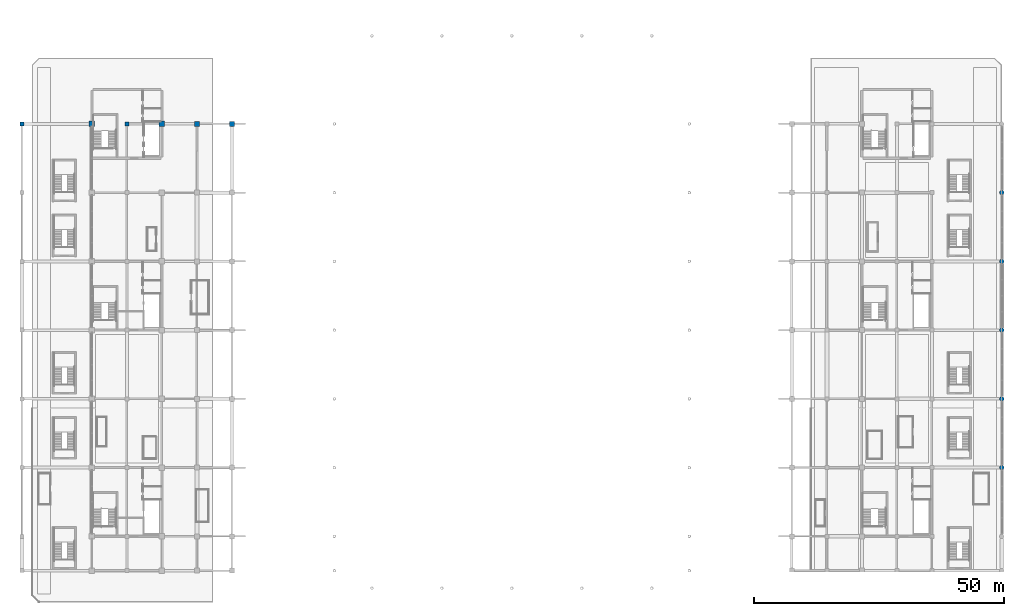
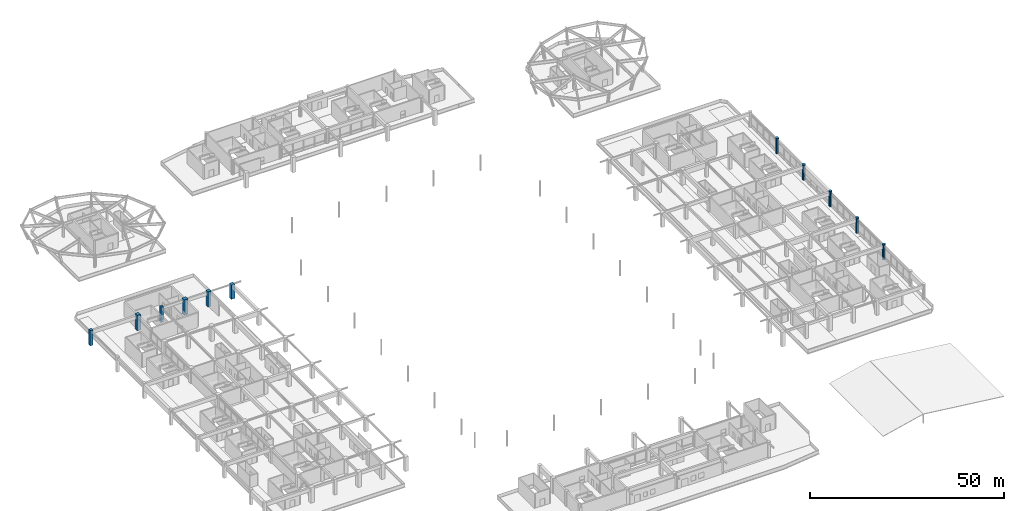
# One storey, part 12 of 91: 11 columns.
"""IFC4 building model written with IfcOpenShell, lengths in metres."""

from ifc_helpers import new_model, si_unit, direction, frame, origin, origin_2d, place, context, subcontext, project, spatial, rectangle, circle, extrude, material, material_profile, profile_set, type_object, element, save


model = new_model("IFC4")

# Units and contexts
model_context = context("Model", 3, precision=1e-05, world=origin(), true_north=direction((0.0, 1.0)))
body_context = subcontext(model_context, "Body", "Model", "MODEL_VIEW")
ifc_project = project(units=[si_unit("LENGTHUNIT", "METRE"), si_unit("AREAUNIT", "SQUARE_METRE"), si_unit("VOLUMEUNIT", "CUBIC_METRE"), si_unit("PLANEANGLEUNIT", "RADIAN"), si_unit("MASSUNIT", "GRAM", prefix="KILO")], contexts=[model_context])

# Site, building, storey
site_placement = place(None, origin())
site = spatial("IfcSite", under=ifc_project, at=site_placement, CompositionType="ELEMENT")
building_placement = place(site_placement, origin())
building = spatial("IfcBuilding", under=site, at=building_placement, Name="Linyun Crest Stadium", CompositionType="ELEMENT")
storey_placement = place(building_placement, frame((0.0, 0.0, 11.39990234375)))
storey = spatial("IfcBuildingStorey", under=building, at=storey_placement, Name="L03", CompositionType="ELEMENT", Elevation=11.39990234375)

# Columns
ifc_material_1 = material(Name="Concrete C50", Category="concrete")
ifc_material_profile_1 = material_profile(ifc_material_1, rectangle(XDim=0.800048828125, YDim=0.800048828125, at=origin_2d()), Name="RC 800x800")
ifc_profile_set_1 = profile_set([ifc_material_profile_1], Name="Concrete C50")
column_type_1 = type_object("IfcColumnType", Name="C03", PredefinedType="COLUMN", material=ifc_profile_set_1)
for number, where, z_axis, x_axis, name in (
    (1, (-98.0, 43.375, 0.0), (0.0, 0.0, 1.0), (1.0, 0.0, 0.0), "Column C03 L03 46"),
    (2, (-77.0, 43.375, 0.0), (0.0, 0.0, 1.0), (1.0, 0.0, 0.0), "Column C03 L03 143"),
):
    element("IfcColumn", number, at=place(storey_placement, frame(where, z_axis=z_axis, x_axis=x_axis)), inside=storey, type_object=column_type_1, Name=name, PredefinedType="COLUMN", context=body_context, shape_type="SweptSolid", body=[
        extrude(rectangle(XDim=0.800048828125, YDim=0.800048828125, at=origin_2d()), origin(), (0.0, 0.0, 1.0), 4.798095703125),
    ])
ifc_material_2 = material(Name="Concrete C50", Category="concrete")
ifc_material_profile_2 = material_profile(ifc_material_2, rectangle(XDim=1.0, YDim=1.0, at=origin_2d()), Name="RC 1000x1000")
ifc_profile_set_2 = profile_set([ifc_material_profile_2], Name="Concrete C50")
column_type_2 = type_object("IfcColumnType", Name="C05", PredefinedType="COLUMN", material=ifc_profile_set_2)
column_1_placement = place(storey_placement, frame((-63.0, 43.375, 0.0), z_axis=(0.0, 0.0, 1.0), x_axis=(1.0, 0.0, 0.0)))
element("IfcColumn", 3, at=column_1_placement, inside=storey, type_object=column_type_2, Name="Column C05 L03 239", PredefinedType="COLUMN", context=body_context, shape_type="SweptSolid", body=[
    extrude(rectangle(XDim=1.0, YDim=1.0, at=origin_2d()), origin(), (0.0, 0.0, 1.0), 4.798095703125),
])
column_2_placement = place(storey_placement, frame((-56.0, 43.375, 0.0), z_axis=(0.0, 0.0, 1.0), x_axis=(1.0, 0.0, 0.0)))
element("IfcColumn", 4, at=column_2_placement, inside=storey, type_object=column_type_2, Name="Column C05 L03 272", PredefinedType="COLUMN", context=body_context, shape_type="SweptSolid", body=[
    extrude(rectangle(XDim=1.0, YDim=1.0, at=origin_2d()), origin(), (0.0, 0.0, 1.0), 4.5400390625),
])
ifc_material_3 = material(Name="Concrete C50", Category="concrete")
ifc_material_profile_3 = material_profile(ifc_material_3, rectangle(XDim=1.10009765625, YDim=1.10009765625, at=origin_2d()), Name="RC 1100x1100")
ifc_profile_set_3 = profile_set([ifc_material_profile_3], Name="Concrete C50")
column_type_3 = type_object("IfcColumnType", Name="C06", PredefinedType="COLUMN", material=ifc_profile_set_3)
for number, where, z_axis, x_axis, name in (
    (5, (-84.0, 43.375, 0.0), (0.0, 0.0, 1.0), (1.0, 0.0, 0.0), "Column C06 L03 101"),
    (6, (-70.0, 43.375, 0.0), (0.0, 0.0, 1.0), (1.0, 0.0, 0.0), "Column C06 L03 197"),
):
    element("IfcColumn", number, at=place(storey_placement, frame(where, z_axis=z_axis, x_axis=x_axis)), inside=storey, type_object=column_type_3, Name=name, PredefinedType="COLUMN", context=body_context, shape_type="SweptSolid", body=[
        extrude(rectangle(XDim=1.10009765625, YDim=1.10009765625, at=origin_2d()), origin(), (0.0, 0.0, 1.0), 4.798095703125),
    ])
ifc_material_4 = material(Name="Concrete C50", Category="concrete")
ifc_material_profile_4 = material_profile(ifc_material_4, circle(Radius=0.449951171875, at=origin_2d()), Name="RC D900")
ifc_profile_set_4 = profile_set([ifc_material_profile_4], Name="Concrete C50")
column_type_4 = type_object("IfcColumnType", Name="C08", PredefinedType="COLUMN", material=ifc_profile_set_4)
for number, where, z_axis, x_axis, name in (
    (7, (98.0, -25.375, 0.0), (0.0, 0.0, 1.0), (1.0, 0.0, 0.0), "Column C08 L03 542"),
    (8, (98.0, -11.625, 0.0), (0.0, 0.0, 1.0), (1.0, 0.0, 0.0), "Column C08 L03 547"),
    (9, (98.0, 2.125, 0.0), (0.0, 0.0, 1.0), (1.0, 0.0, 0.0), "Column C08 L03 552"),
    (10, (98.0, 15.875, 0.0), (0.0, 0.0, 1.0), (1.0, 0.0, 0.0), "Column C08 L03 557"),
    (11, (98.0, 29.625, 0.0), (0.0, 0.0, 1.0), (1.0, 0.0, 0.0), "Column C08 L03 562"),
):
    element("IfcColumn", number, at=place(storey_placement, frame(where, z_axis=z_axis, x_axis=x_axis)), inside=storey, type_object=column_type_4, Name=name, PredefinedType="COLUMN", context=body_context, shape_type="SweptSolid", body=[
        extrude(circle(Radius=0.449951171875, at=origin_2d()), origin(), (0.0, 0.0, 1.0), 4.798095703125),
    ])

save(model, "model.ifc")
